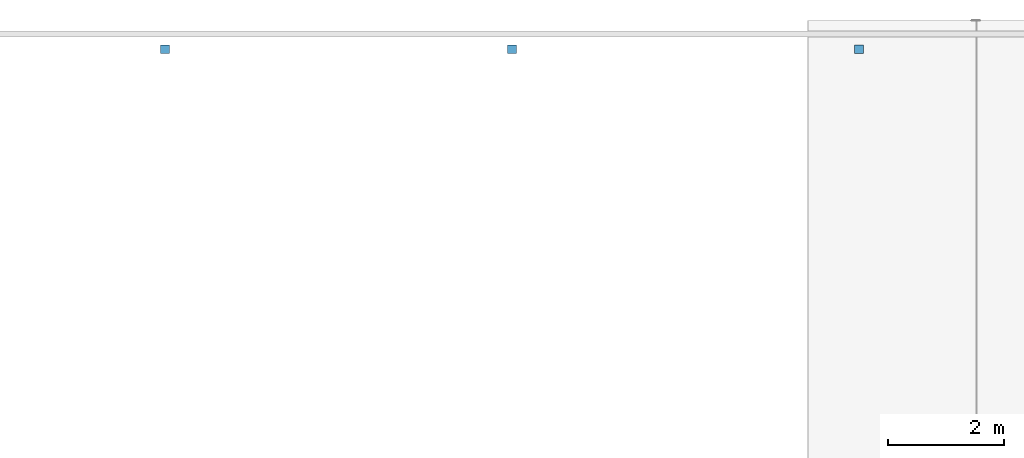
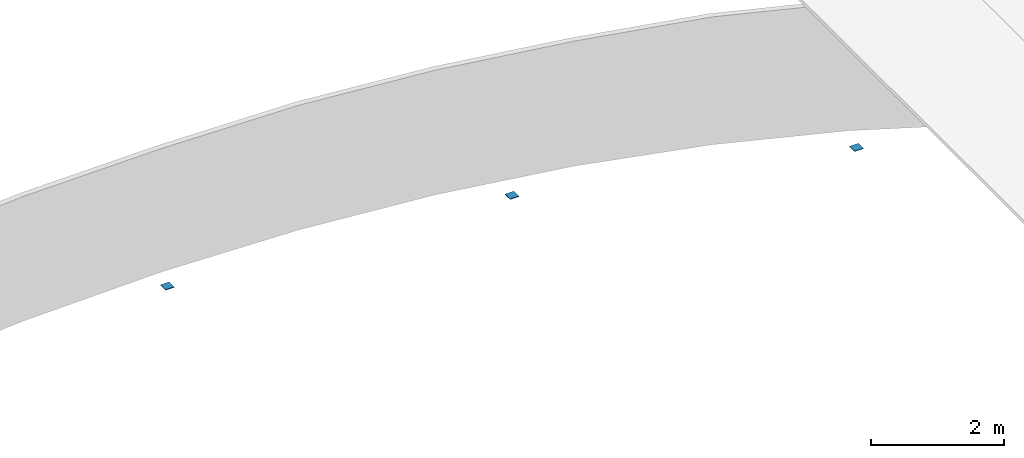
# One storey, part 7 of 17: 3 discrete accessories.
"""IFC4 building model written with IfcOpenShell, lengths in metres."""

from ifc_helpers import new_model, si_unit, direction, frame, origin, origin_2d, place, context, subcontext, project, spatial, rectangle, extrude, material, material_profile, profile_set, type_object, element, save


model = new_model("IFC4")

# Units and contexts
model_context = context("Model", 3, precision=1e-05, world=origin(), true_north=direction((0.0, 1.0)))
body_context = subcontext(model_context, "Body", "Model", "MODEL_VIEW")
ifc_project = project(units=[si_unit("LENGTHUNIT", "METRE"), si_unit("AREAUNIT", "SQUARE_METRE"), si_unit("VOLUMEUNIT", "CUBIC_METRE"), si_unit("PLANEANGLEUNIT", "RADIAN"), si_unit("MASSUNIT", "GRAM", prefix="KILO")], contexts=[model_context])

# Site, building, storey
site_placement = place(None, origin())
site = spatial("IfcSite", under=ifc_project, at=site_placement, CompositionType="ELEMENT")
building_placement = place(site_placement, origin())
building = spatial("IfcBuilding", under=site, at=building_placement, Name="Verrick Yard Athletic Hall", CompositionType="ELEMENT")
storey_placement = place(building_placement, frame((0.0, 0.0, 18.199951171875)))
storey = spatial("IfcBuildingStorey", under=building, at=storey_placement, Name="Roof", CompositionType="ELEMENT", Elevation=18.199951171875)

# Discrete accessories
ifc_material = material(Name="Structural steel 350W (CSA G40.21)", Category="steel")
ifc_material_profile = material_profile(ifc_material, rectangle(XDim=0.15234375, YDim=0.15234375, at=origin_2d()), Name="STR End cap plate 152x152x9.5")
ifc_profile_set = profile_set([ifc_material_profile], Name="Structural steel 350W (CSA G40.21)")
discrete_accessory_type = type_object("IfcDiscreteAccessoryType", Name="STR End cap plate 152x152x9.5", PredefinedType="BRACKET", material=ifc_profile_set)
discrete_accessory_1_placement = place(storey_placement, frame((64.0, 107.50537109375, 0.77685546875), z_axis=(0.0, 0.0, 1.0), x_axis=(1.0, 0.0, 0.0)))
element("IfcDiscreteAccessory", 1, at=discrete_accessory_1_placement, inside=storey, type_object=discrete_accessory_type, Name="End cap HB-GP-BN-6 B", PredefinedType="BRACKET", context=body_context, shape_type="SweptSolid", body=[
    extrude(rectangle(XDim=0.15234375, YDim=0.15234375, at=origin_2d()), origin(), (0.0, 0.0, 1.0), 0.010009765625),
])
discrete_accessory_2_placement = place(storey_placement, frame((52.0, 107.50537109375, 2.42724609375), z_axis=(0.0, 0.0, 1.0), x_axis=(1.0, 0.0, 0.0)))
element("IfcDiscreteAccessory", 2, at=discrete_accessory_2_placement, inside=storey, type_object=discrete_accessory_type, Name="End cap HB-GP-BN-4 B", PredefinedType="BRACKET", context=body_context, shape_type="SweptSolid", body=[
    extrude(rectangle(XDim=0.15234375, YDim=0.15234375, at=origin_2d()), origin(), (0.0, 0.0, 1.0), 0.009765625),
])
discrete_accessory_3_placement = place(storey_placement, frame((58.0, 107.50537109375, 1.995849609375), z_axis=(0.0, 0.0, 1.0), x_axis=(1.0, 0.0, 0.0)))
element("IfcDiscreteAccessory", 3, at=discrete_accessory_3_placement, inside=storey, type_object=discrete_accessory_type, Name="End cap HB-GP-BN-5 B", PredefinedType="BRACKET", context=body_context, shape_type="SweptSolid", body=[
    extrude(rectangle(XDim=0.15234375, YDim=0.15234375, at=origin_2d()), origin(), (0.0, 0.0, 1.0), 0.010009765625),
])

save(model, "model.ifc")
